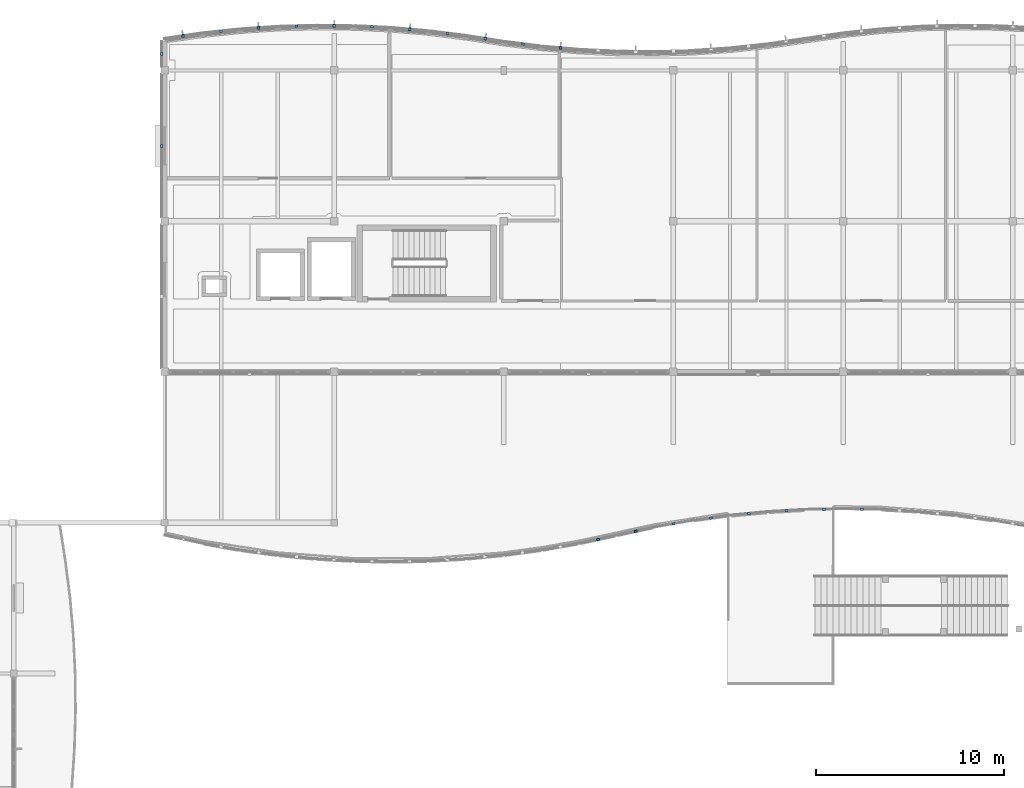
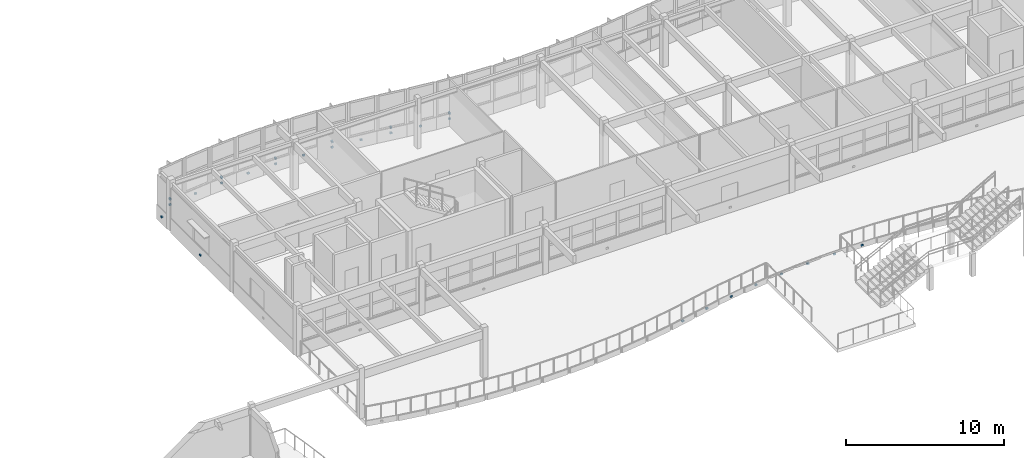
# One storey, part 48 of 63: 27 discrete accessories.
"""IFC4 building model written with IfcOpenShell, lengths in metres."""

import ifcopenshell
import ifcopenshell.guid

model = None  # the IFC model being written
_history = None  # IfcOwnerHistory: only IFC2X3 demands one
_inside = {}  # id of a spatial element -> (the spatial element, [elements in it])
_under = {}  # id of a project, library or spatial element -> (it, [spatial elements below it])
_declared = {}  # id of a project -> (the project, [libraries it declares])
_typed = {}  # id of a type object -> (the type object, [elements of that type])
_made_of = {}  # id of a material, layer set ... -> (it, [elements and type objects made of it])


def new_model(schema):
    """Start an empty IFC model of exactly this schema.

    Asked for "IFC4X3", IfcOpenShell would pick the latest addendum, in which some entities
    have other attributes; the version numbers below select the first issue.
    IFC2X3 requires an IfcOwnerHistory on every rooted entity: one is made here for all.
    """
    global model, _history
    if schema == "IFC4X3":
        model = ifcopenshell.file(schema_version=(4, 3, 0, 0))
    else:
        model = ifcopenshell.file(schema=schema)
    _inside.clear()
    _under.clear()
    _declared.clear()
    _typed.clear()
    _made_of.clear()
    _history = None
    if model.schema == "IFC2X3":
        org = make("IfcOrganization", Name="unknown")
        user = make(
            "IfcPersonAndOrganization",
            ThePerson=make("IfcPerson", FamilyName="unknown"),
            TheOrganization=org,
        )
        app = make(
            "IfcApplication",
            ApplicationDeveloper=org,
            Version="unknown",
            ApplicationFullName="unknown",
            ApplicationIdentifier="unknown",
        )
        _history = make(
            "IfcOwnerHistory",
            OwningUser=user,
            OwningApplication=app,
            ChangeAction="ADDED",
            CreationDate=0,
        )
    return model


def make(cls, **values):
    """One entity of the class cls with the attributes given. An attribute that is None is left unset."""
    return model.create_entity(
        cls, **{name: value for name, value in values.items() if value is not None}
    )


def rooted(cls, **values):
    """An entity with a GlobalId (a new one), such as an element, a storey or a relation."""
    return make(cls, GlobalId=ifcopenshell.guid.new(), OwnerHistory=_history, **values)


def si_unit(unit_type, name, prefix=None):
    """IfcSIUnit, for example si_unit("LENGTHUNIT", "METRE", prefix="MILLI")."""
    return make("IfcSIUnit", UnitType=unit_type, Prefix=prefix, Name=name)


def assignment(units):
    """IfcUnitAssignment: the units of a project."""
    return None if units is None else make("IfcUnitAssignment", Units=units)


def point(xyz):
    """IfcCartesianPoint."""
    return None if xyz is None else make("IfcCartesianPoint", Coordinates=xyz)


def direction(xyz):
    """IfcDirection."""
    return None if xyz is None else make("IfcDirection", DirectionRatios=xyz)


def frame(location, z_axis=None, x_axis=None):
    """IfcAxis2Placement3D, a coordinate frame: its origin and axes. An axis left out is left unset."""
    return make(
        "IfcAxis2Placement3D",
        Location=point(location),
        Axis=direction(z_axis),
        RefDirection=direction(x_axis),
    )


def frame_2d(location, x_axis=None):
    """IfcAxis2Placement2D, a coordinate frame in the plane: its origin and x axis."""
    return make(
        "IfcAxis2Placement2D", Location=point(location), RefDirection=direction(x_axis)
    )


def origin():
    """The frame at (0, 0, 0) with its axes left unset."""
    return frame((0.0, 0.0, 0.0))


def origin_2d():
    """The frame at (0, 0) in the plane with its x axis left unset."""
    return frame_2d((0.0, 0.0))


def place(relative_to, where):
    """IfcLocalPlacement: puts the frame where relative to a parent placement (None: the world)."""
    return make(
        "IfcLocalPlacement", PlacementRelTo=relative_to, RelativePlacement=where
    )


def context(
    kind, dimensions, precision=None, world=None, true_north=None, identifier=None
):
    """IfcGeometricRepresentationContext, for example the 3D "Model" context."""
    return make(
        "IfcGeometricRepresentationContext",
        ContextIdentifier=identifier,
        ContextType=kind,
        CoordinateSpaceDimension=dimensions,
        Precision=precision,
        WorldCoordinateSystem=world,
        TrueNorth=true_north,
    )


def subcontext(parent, identifier, kind, view, scale=None):
    """IfcGeometricRepresentationSubContext, for example "Body" below "Model"."""
    return make(
        "IfcGeometricRepresentationSubContext",
        ContextIdentifier=identifier,
        ContextType=kind,
        ParentContext=parent,
        TargetScale=scale,
        TargetView=view,
    )


def project(units=None, contexts=None):
    """IfcProject with its units and contexts."""
    return rooted(
        "IfcProject",
        Name="project",
        RepresentationContexts=contexts,
        UnitsInContext=assignment(units),
    )


def spatial(cls, under=None, at=None, **own):
    """A site, building, storey or space (cls), placed at a placement, below another one or the project."""
    s = rooted(cls, ObjectPlacement=at, **own)
    if under is not None:
        _under.setdefault(under.id(), (under, []))[1].append(s)
    return s


def profile(cls, at=None, kind="AREA", **sizes):
    """A parametric profile (cls). Its sizes go by their IFC names, for example OverallWidth=200.0."""
    return make(cls, ProfileType=kind, Position=at, **sizes)


def rectangle(**sizes):
    """IfcRectangleProfileDef."""
    return profile("IfcRectangleProfileDef", **sizes)


def extrude(swept, where, along, depth):
    """IfcExtrudedAreaSolid: the profile swept, set in the frame where, extruded along a direction by depth."""
    return make(
        "IfcExtrudedAreaSolid",
        SweptArea=swept,
        Position=where,
        ExtrudedDirection=direction(along),
        Depth=depth,
    )


def shape(context_of_items, identifier, shape_type, items):
    """IfcShapeRepresentation: the items that make up one representation, for example the "Body"."""
    return make(
        "IfcShapeRepresentation",
        ContextOfItems=context_of_items,
        RepresentationIdentifier=identifier,
        RepresentationType=shape_type,
        Items=items,
    )


def material(Name=None, Category=None):
    """IfcMaterial."""
    return make("IfcMaterial", Name=Name, Category=Category)


def made_of(thing, what):
    """Note that an element or type object is made of a material, layer set ...; save() writes the relation."""
    if what is not None:
        _made_of.setdefault(what.id(), (what, []))[1].append(thing)
    return thing


def type_object(cls, material=None, **own):
    """A type object (cls), such as IfcWallType, which elements share."""
    return made_of(rooted(cls, **own), material)


def element(
    cls,
    number,
    at=None,
    inside=None,
    cuts=None,
    type_object=None,
    material=None,
    context=None,
    identifier="Body",
    shape_type=None,
    held_by="IfcProductDefinitionShape",
    body=None,
    shapes=None,
    **own,
):
    """One element of the class cls, such as IfcWall. Its Tag is "e" and its number.

    at: its placement. inside: the storey or other place that contains it. cuts: it is an
    opening in that element (IfcRelVoidsElement). A single representation is given by context,
    identifier, shape_type and body (its items); several are given by shapes. held_by: the class
    of the entity that holds the representations. save() writes the other relations.
    """
    e = rooted(cls, Tag="e%d" % number, ObjectPlacement=at, **own)
    if body is not None:
        shapes = [shape(context, identifier, shape_type, body)]
    if shapes is not None:
        e.Representation = make(held_by, Representations=shapes)
    if inside is not None:
        _inside.setdefault(inside.id(), (inside, []))[1].append(e)
    if cuts is not None:
        rooted(
            "IfcRelVoidsElement", RelatingBuildingElement=cuts, RelatedOpeningElement=e
        )
    if type_object is not None:
        _typed.setdefault(type_object.id(), (type_object, []))[1].append(e)
    return made_of(e, material)


def aggregate(whole, parts):
    """IfcRelAggregates: a whole, such as a stair, and the parts it consists of."""
    return rooted("IfcRelAggregates", RelatingObject=whole, RelatedObjects=parts)


def save(model, path):
    """Write the relations noted so far, then the file.

    IfcRelAggregates (storeys below a building ...), IfcRelContainedInSpatialStructure (elements
    in a storey), IfcRelDefinesByType, IfcRelAssociatesMaterial and IfcRelDeclares: one each for
    every whole, place, type object, material and project.
    """
    for whole, parts in _under.values():
        aggregate(whole, parts)
    for where, things in _inside.values():
        rooted(
            "IfcRelContainedInSpatialStructure",
            RelatedElements=things,
            RelatingStructure=where,
        )
    for kind, things in _typed.values():
        rooted("IfcRelDefinesByType", RelatedObjects=things, RelatingType=kind)
    for what, things in _made_of.values():
        rooted("IfcRelAssociatesMaterial", RelatedObjects=things, RelatingMaterial=what)
    for by, libraries in _declared.values():
        rooted("IfcRelDeclares", RelatingContext=by, RelatedDefinitions=libraries)
    model.write(path)


model = new_model("IFC4")

# Units and contexts
model_context = context("Model", 3, precision=1e-05, world=origin(), true_north=direction((0.0, 1.0)))
body_context = subcontext(model_context, "Body", "Model", "MODEL_VIEW")
ifc_project = project(units=[si_unit("LENGTHUNIT", "METRE"), si_unit("AREAUNIT", "SQUARE_METRE"), si_unit("VOLUMEUNIT", "CUBIC_METRE"), si_unit("PLANEANGLEUNIT", "RADIAN"), si_unit("MASSUNIT", "GRAM", prefix="KILO")], contexts=[model_context])

# Site, building, storey
site_placement = place(None, origin())
site = spatial("IfcSite", under=ifc_project, at=site_placement, CompositionType="ELEMENT")
building_placement = place(site_placement, origin())
building = spatial("IfcBuilding", under=site, at=building_placement, Name="Tonlespit Floodbar School", CompositionType="ELEMENT")
storey_placement = place(building_placement, frame((0.0, 0.0, 8.39990234375)))
storey = spatial("IfcBuildingStorey", under=building, at=storey_placement, Name="L02", CompositionType="ELEMENT", Elevation=8.39990234375)

# Discrete accessories
ifc_material = material(Name="Galvanised Steel", Category="steel")
discrete_accessory_type = type_object("IfcDiscreteAccessoryType", Name="Bracket_Facade_S355", PredefinedType="BRACKET", material=ifc_material)
discrete_accessory_1_placement = place(storey_placement, frame((44.981201171875, 121.824462890625, 0.35498046875), z_axis=(0.0, 0.0, 1.0), x_axis=(0.989537627347, 0.144275029245, 0.0)))
element("IfcDiscreteAccessory", 1, at=discrete_accessory_1_placement, inside=storey, type_object=discrete_accessory_type, Name="L02 white band support bracket 0131", PredefinedType="BRACKET", context=body_context, shape_type="SweptSolid", body=[
    extrude(rectangle(XDim=0.159912109375, YDim=0.1201171875, at=origin_2d()), origin(), (0.0, 0.0, 1.0), 0.1201171875),
])
discrete_accessory_2_placement = place(storey_placement, frame((44.979736328125, 121.834228515625, 0.7802734375), z_axis=(0.0, 0.0, 1.0), x_axis=(0.989537627347, 0.144275029245, 0.0)))
element("IfcDiscreteAccessory", 2, at=discrete_accessory_2_placement, inside=storey, type_object=discrete_accessory_type, Name="Solar fin support bracket 037", PredefinedType="BRACKET", context=body_context, shape_type="SweptSolid", body=[
    extrude(rectangle(XDim=0.1201171875, YDim=0.179931640625, at=origin_2d()), origin(), (0.0, 0.0, 1.0), 0.139892578125),
])
for number, where, z_axis, x_axis, name in (
    (3, (46.986328125, 122.0771484375, 0.35498046875), (0.0, 0.0, 1.0), (0.99439234017, 0.105753835922, 0.0), "L02 white band support bracket 0132"),
    (4, (48.9912109375, 122.25146484375, 0.35498046875), (0.0, 0.0, 1.0), (0.997729639049, 0.067346621018, 0.0), "L02 white band support bracket 0133"),
):
    element("IfcDiscreteAccessory", number, at=place(storey_placement, frame(where, z_axis=z_axis, x_axis=x_axis)), inside=storey, type_object=discrete_accessory_type, Name=name, PredefinedType="BRACKET", context=body_context, shape_type="SweptSolid", body=[
        extrude(rectangle(XDim=0.159912109375, YDim=0.1201171875, at=origin_2d()), origin(), (0.0, 0.0, 1.0), 0.1201171875),
    ])
discrete_accessory_3_placement = place(storey_placement, frame((48.990478515625, 122.261474609375, 0.7802734375), z_axis=(0.0, 0.0, 1.0), x_axis=(0.997729639049, 0.067346621018, 0.0)))
element("IfcDiscreteAccessory", 5, at=discrete_accessory_3_placement, inside=storey, type_object=discrete_accessory_type, Name="Solar fin support bracket 038", PredefinedType="BRACKET", context=body_context, shape_type="SweptSolid", body=[
    extrude(rectangle(XDim=0.1201171875, YDim=0.179931640625, at=origin_2d()), origin(), (0.0, 0.0, 1.0), 0.139892578125),
])
for number, where, z_axis, x_axis, name in (
    (6, (50.996337890625, 122.34814453125, 0.35498046875), (0.0, 0.0, 1.0), (0.999584110869, 0.02883756748, 0.0), "L02 white band support bracket 0134"),
    (7, (53.001220703125, 122.367431640625, 0.35498046875), (0.0, 0.0, 1.0), (0.999953926969, -0.009599163462, 0.0), "L02 white band support bracket 0135"),
):
    element("IfcDiscreteAccessory", number, at=place(storey_placement, frame(where, z_axis=z_axis, x_axis=x_axis)), inside=storey, type_object=discrete_accessory_type, Name=name, PredefinedType="BRACKET", context=body_context, shape_type="SweptSolid", body=[
        extrude(rectangle(XDim=0.159912109375, YDim=0.1201171875, at=origin_2d()), origin(), (0.0, 0.0, 1.0), 0.1201171875),
    ])
discrete_accessory_4_placement = place(storey_placement, frame((53.001220703125, 122.37744140625, 0.7802734375), z_axis=(0.0, 0.0, 1.0), x_axis=(0.999953926969, -0.009599163462, 0.0)))
element("IfcDiscreteAccessory", 8, at=discrete_accessory_4_placement, inside=storey, type_object=discrete_accessory_type, Name="Solar fin support bracket 039", PredefinedType="BRACKET", context=body_context, shape_type="SweptSolid", body=[
    extrude(rectangle(XDim=0.1201171875, YDim=0.179931640625, at=origin_2d()), origin(), (0.0, 0.0, 1.0), 0.139892578125),
])
for number, where, z_axis, x_axis, name in (
    (9, (55.00634765625, 122.3095703125, 0.35498046875), (0.0, 0.0, 1.0), (0.998842769234, -0.048094930587, 0.0), "L02 white band support bracket 0136"),
    (10, (57.01123046875, 122.174072265625, 0.35498046875), (0.0, 0.0, 1.0), (0.996245486492, -0.086573267488, 0.0), "L02 white band support bracket 0137"),
):
    element("IfcDiscreteAccessory", number, at=place(storey_placement, frame(where, z_axis=z_axis, x_axis=x_axis)), inside=storey, type_object=discrete_accessory_type, Name=name, PredefinedType="BRACKET", context=body_context, shape_type="SweptSolid", body=[
        extrude(rectangle(XDim=0.159912109375, YDim=0.1201171875, at=origin_2d()), origin(), (0.0, 0.0, 1.0), 0.1201171875),
    ])
discrete_accessory_5_placement = place(storey_placement, frame((57.01220703125, 122.18408203125, 0.7802734375), z_axis=(0.0, 0.0, 1.0), x_axis=(0.996245486492, -0.086573267488, 0.0)))
element("IfcDiscreteAccessory", 11, at=discrete_accessory_5_placement, inside=storey, type_object=discrete_accessory_type, Name="Solar fin support bracket 040", PredefinedType="BRACKET", context=body_context, shape_type="SweptSolid", body=[
    extrude(rectangle(XDim=0.1201171875, YDim=0.179931640625, at=origin_2d()), origin(), (0.0, 0.0, 1.0), 0.139892578125),
])
for number, where, z_axis, x_axis, name in (
    (12, (59.016357421875, 121.960693359375, 0.35498046875), (0.0, 0.0, 1.0), (0.99215533612, -0.125011155539, 0.0), "L02 white band support bracket 0138"),
    (13, (61.02001953125, 121.678466796875, 0.35498046875), (0.0, 0.0, 1.0), (0.988094768361, -0.153846445322, 0.0), "L02 white band support bracket 0139"),
):
    element("IfcDiscreteAccessory", number, at=place(storey_placement, frame(where, z_axis=z_axis, x_axis=x_axis)), inside=storey, type_object=discrete_accessory_type, Name=name, PredefinedType="BRACKET", context=body_context, shape_type="SweptSolid", body=[
        extrude(rectangle(XDim=0.159912109375, YDim=0.1201171875, at=origin_2d()), origin(), (0.0, 0.0, 1.0), 0.1201171875),
    ])
discrete_accessory_6_placement = place(storey_placement, frame((61.021484375, 121.688232421875, 0.7802734375), z_axis=(0.0, 0.0, 1.0), x_axis=(0.988094768361, -0.153846445322, 0.0)))
element("IfcDiscreteAccessory", 14, at=discrete_accessory_6_placement, inside=storey, type_object=discrete_accessory_type, Name="Solar fin support bracket 041", PredefinedType="BRACKET", context=body_context, shape_type="SweptSolid", body=[
    extrude(rectangle(XDim=0.1201171875, YDim=0.179931640625, at=origin_2d()), origin(), (0.0, 0.0, 1.0), 0.139892578125),
])
for number, where, z_axis, x_axis, name in (
    (15, (63.016357421875, 121.397216796875, 0.35498046875), (0.0, 0.0, 1.0), (0.99215533612, -0.125011155539, 0.0), "L02 white band support bracket 0140"),
    (16, (65.01123046875, 121.184814453125, 0.35498046875), (0.0, 0.0, 1.0), (0.996245486492, -0.086573267488, 0.0), "L02 white band support bracket 0141"),
):
    element("IfcDiscreteAccessory", number, at=place(storey_placement, frame(where, z_axis=z_axis, x_axis=x_axis)), inside=storey, type_object=discrete_accessory_type, Name=name, PredefinedType="BRACKET", context=body_context, shape_type="SweptSolid", body=[
        extrude(rectangle(XDim=0.159912109375, YDim=0.1201171875, at=origin_2d()), origin(), (0.0, 0.0, 1.0), 0.1201171875),
    ])
discrete_accessory_7_placement = place(storey_placement, frame((65.01220703125, 121.19482421875, 0.7802734375), z_axis=(0.0, 0.0, 1.0), x_axis=(0.996245486492, -0.086573267488, 0.0)))
element("IfcDiscreteAccessory", 17, at=discrete_accessory_7_placement, inside=storey, type_object=discrete_accessory_type, Name="Solar fin support bracket 042", PredefinedType="BRACKET", context=body_context, shape_type="SweptSolid", body=[
    extrude(rectangle(XDim=0.1201171875, YDim=0.179931640625, at=origin_2d()), origin(), (0.0, 0.0, 1.0), 0.139892578125),
])
for number, where, z_axis, x_axis, name in (
    (18, (43.85009765625, 116.0, 0.380126953125), (0.0, 0.0, 1.0), (0.0, 1.0, 0.0), "L02 white band support bracket 0176"),
    (19, (43.85009765625, 120.875, 0.380126953125), (0.0, 0.0, 1.0), (0.0, 1.0, 0.0), "L02 white band support bracket 0177"),
    (20, (67.0, 95.113525390625, -0.14990234375), (0.0, 0.0, 1.0), (0.977356843161, 0.21159773422, 0.0), "L02 white band support bracket 0189"),
    (21, (69.0, 95.54638671875, -0.14990234375), (0.0, 0.0, 1.0), (0.977356843161, 0.21159773422, 0.0), "L02 white band support bracket 0190"),
    (22, (71.0, 95.938720703125, -0.14990234375), (0.0, 0.0, 1.0), (0.984904884962, 0.17309641122, 0.0), "L02 white band support bracket 0191"),
    (23, (73.0, 96.250244140625, -0.14990234375), (0.0, 0.0, 1.0), (0.990898113281, 0.13461400037, 0.0), "L02 white band support bracket 0192"),
    (24, (75.0, 96.48291015625, -0.14990234375), (0.0, 0.0, 1.0), (0.995361841764, 0.096201891669, 0.0), "L02 white band support bracket 0193"),
    (25, (77.0, 96.63720703125, -0.14990234375), (0.0, 0.0, 1.0), (0.998333769428, 0.057703421212, 0.0), "L02 white band support bracket 0194"),
    (26, (79.0, 96.71435546875, -0.14990234375), (0.0, 0.0, 1.0), (0.999814772764, 0.01924630259, 0.0), "L02 white band support bracket 0195"),
    (27, (81.0, 96.71435546875, -0.14990234375), (0.0, 0.0, 1.0), (0.999814772764, -0.01924630259, 0.0), "L02 white band support bracket 0196"),
):
    element("IfcDiscreteAccessory", number, at=place(storey_placement, frame(where, z_axis=z_axis, x_axis=x_axis)), inside=storey, type_object=discrete_accessory_type, Name=name, PredefinedType="BRACKET", context=body_context, shape_type="SweptSolid", body=[
        extrude(rectangle(XDim=0.159912109375, YDim=0.1201171875, at=origin_2d()), origin(), (0.0, 0.0, 1.0), 0.1201171875),
    ])

save(model, "model.ifc")
